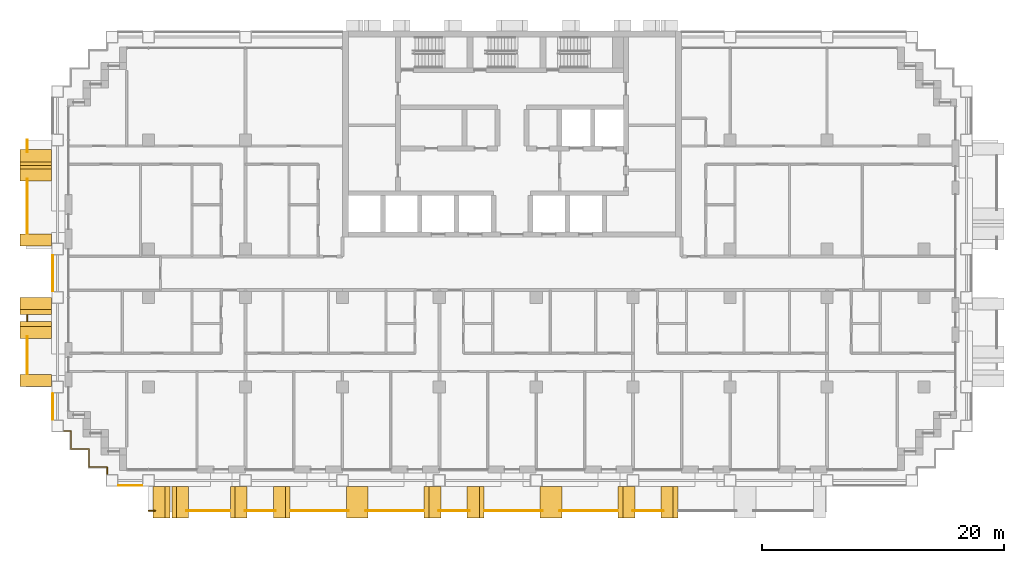
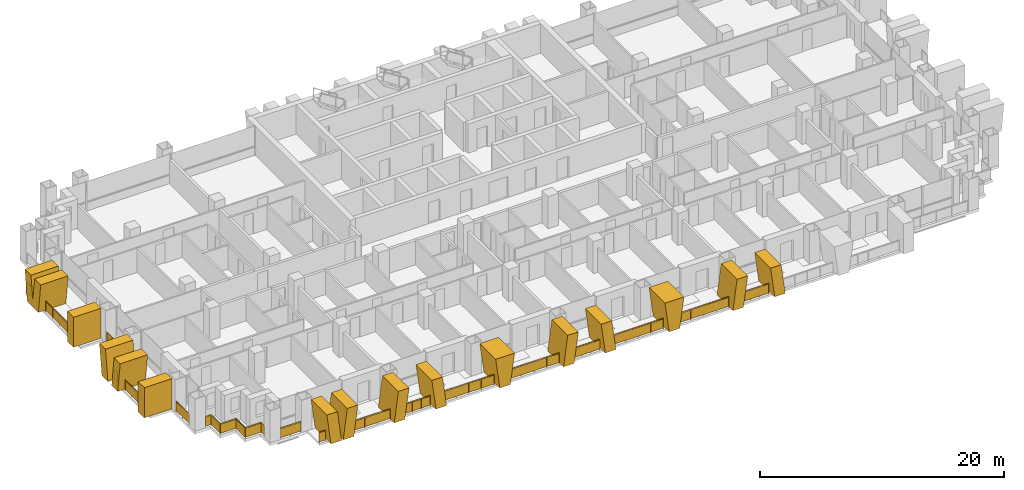
# One storey, part 16 of 19: 17 railings, 15 shading devices.
"""IFC4 building model written with IfcOpenShell, lengths in metres."""

from ifc_helpers import new_model, si_unit, direction, frame, origin, origin_2d, place, context, subcontext, project, spatial, polyline, rectangle, circle, outline, extrude, material, layer, layer_set, type_object, element, save


model = new_model("IFC4")

# Units and contexts
model_context = context("Model", 3, precision=1e-05, world=origin(), true_north=direction((0.0, 1.0)))
body_context = subcontext(model_context, "Body", "Model", "MODEL_VIEW")
ifc_project = project(units=[si_unit("LENGTHUNIT", "METRE"), si_unit("AREAUNIT", "SQUARE_METRE"), si_unit("VOLUMEUNIT", "CUBIC_METRE"), si_unit("PLANEANGLEUNIT", "RADIAN"), si_unit("MASSUNIT", "GRAM", prefix="KILO")], contexts=[model_context])

# Site, building, storey
site_placement = place(None, origin())
site = spatial("IfcSite", under=ifc_project, at=site_placement, CompositionType="ELEMENT")
building_placement = place(site_placement, origin())
building = spatial("IfcBuilding", under=site, at=building_placement, Name="Vidyagriha Tower", CompositionType="ELEMENT")
storey_placement = place(building_placement, frame((0.0, 0.0, 57.60009765625)))
storey = spatial("IfcBuildingStorey", under=building, at=storey_placement, Name="L15", CompositionType="ELEMENT", Elevation=57.60009765625)

# Railings
ifc_material_1 = material(Name="Steel ASTM A500 Grade C black painted", Category="steel")
railing_type_1 = type_object("IfcRailingType", Name="Balcony guard 1100", PredefinedType="BALUSTRADE", material=ifc_material_1)
railing_1_placement = place(storey_placement, frame((-40.0, 11.0, 0.0)))
element("IfcRailing", 1, at=railing_1_placement, inside=storey, type_object=railing_type_1, Name="Balcony guard L15 R16.1-1", PredefinedType="BALUSTRADE", context=body_context, shape_type="SweptSolid", body=[
    extrude(circle(Radius=0.02490234375, at=origin_2d()), frame((0.0, 0.0, 1.0751953125), z_axis=(0.0, -1.0, 0.0), x_axis=(1.0, 0.0, 0.0)), (0.0, 0.0, 1.0), 0.99658203125),
    extrude(circle(Radius=0.02001953125, at=origin_2d()), origin(), (0.0, 0.0, 1.0), 1.050048828125),
    extrude(circle(Radius=0.02001953125, at=origin_2d()), frame((0.0, -0.99658203125, 0.0)), (0.0, 0.0, 1.0), 1.050048828125),
    extrude(rectangle(XDim=0.010009765625, YDim=0.900146484375, at=origin_2d()), frame((0.0, 0.0, 0.550048828125), z_axis=(0.0, -1.0, 0.0), x_axis=(1.0, 0.0, 0.0)), (0.0, 0.0, 1.0), 0.99658203125),
])
railing_2_placement = place(storey_placement, frame((-40.0, 7.796630859375, 0.0)))
element("IfcRailing", 2, at=railing_2_placement, inside=storey, type_object=railing_type_1, Name="Balcony guard L15 R16.1-2", PredefinedType="BALUSTRADE", context=body_context, shape_type="SweptSolid", body=[
    extrude(circle(Radius=0.02490234375, at=origin_2d()), frame((0.0, 0.0, 1.0751953125), z_axis=(0.0, -1.0, 0.0), x_axis=(1.0, 0.0, 0.0)), (0.0, 0.0, 1.0), 4.49658203125),
    extrude(circle(Radius=0.02001953125, at=origin_2d()), origin(), (0.0, 0.0, 1.0), 1.050048828125),
    extrude(circle(Radius=0.02001953125, at=origin_2d()), frame((0.0, -1.1240234375, 0.0)), (0.0, 0.0, 1.0), 1.050048828125),
    extrude(circle(Radius=0.02001953125, at=origin_2d()), frame((0.0, -2.248291015625, 0.0)), (0.0, 0.0, 1.0), 1.050048828125),
    extrude(circle(Radius=0.02001953125, at=origin_2d()), frame((0.0, -3.37255859375, 0.0)), (0.0, 0.0, 1.0), 1.050048828125),
    extrude(circle(Radius=0.02001953125, at=origin_2d()), frame((0.0, -4.49658203125, 0.0)), (0.0, 0.0, 1.0), 1.050048828125),
    extrude(rectangle(XDim=0.010009765625, YDim=0.900146484375, at=origin_2d()), frame((0.0, 0.0, 0.550048828125), z_axis=(0.0, -1.0, 0.0), x_axis=(1.0, 0.0, 0.0)), (0.0, 0.0, 1.0), 4.49658203125),
])
railing_3_placement = place(storey_placement, frame((-40.0, -3.449951171875, 0.0)))
element("IfcRailing", 3, at=railing_3_placement, inside=storey, type_object=railing_type_1, Name="Balcony guard L15 R16.2-1", PredefinedType="BALUSTRADE", context=body_context, shape_type="SweptSolid", body=[
    extrude(circle(Radius=0.02490234375, at=origin_2d()), frame((0.0, 0.0, 1.0751953125), z_axis=(0.0, -1.0, 0.0), x_axis=(1.0, 0.0, 0.0)), (0.0, 0.0, 1.0), 0.5),
    extrude(circle(Radius=0.02001953125, at=origin_2d()), origin(), (0.0, 0.0, 1.0), 1.050048828125),
    extrude(circle(Radius=0.02001953125, at=origin_2d()), frame((0.0, -0.5, 0.0)), (0.0, 0.0, 1.0), 1.050048828125),
    extrude(rectangle(XDim=0.010009765625, YDim=0.900146484375, at=origin_2d()), frame((0.0, 0.0, 0.550048828125), z_axis=(0.0, -1.0, 0.0), x_axis=(1.0, 0.0, 0.0)), (0.0, 0.0, 1.0), 0.5),
])
railing_4_placement = place(storey_placement, frame((-40.0, -5.203369140625, 0.0)))
element("IfcRailing", 4, at=railing_4_placement, inside=storey, type_object=railing_type_1, Name="Balcony guard L15 R16.2-2", PredefinedType="BALUSTRADE", context=body_context, shape_type="SweptSolid", body=[
    extrude(circle(Radius=0.02490234375, at=origin_2d()), frame((0.0, 0.0, 1.0751953125), z_axis=(0.0, -1.0, 0.0), x_axis=(1.0, 0.0, 0.0)), (0.0, 0.0, 1.0), 3.0966796875),
    extrude(circle(Radius=0.02001953125, at=origin_2d()), origin(), (0.0, 0.0, 1.0), 1.050048828125),
    extrude(circle(Radius=0.02001953125, at=origin_2d()), frame((0.0, -1.0322265625, 0.0)), (0.0, 0.0, 1.0), 1.050048828125),
    extrude(circle(Radius=0.02001953125, at=origin_2d()), frame((0.0, -2.064453125, 0.0)), (0.0, 0.0, 1.0), 1.050048828125),
    extrude(circle(Radius=0.02001953125, at=origin_2d()), frame((0.0, -3.0966796875, 0.0)), (0.0, 0.0, 1.0), 1.050048828125),
    extrude(rectangle(XDim=0.010009765625, YDim=0.900146484375, at=origin_2d()), frame((0.0, 0.0, 0.550048828125), z_axis=(0.0, -1.0, 0.0), x_axis=(1.0, 0.0, 0.0)), (0.0, 0.0, 1.0), 3.0966796875),
])
railing_5_placement = place(storey_placement, frame((-30.0, -19.60009765625, 0.0)))
element("IfcRailing", 5, at=railing_5_placement, inside=storey, type_object=railing_type_1, Name="Balcony guard L15 R23.1-1", PredefinedType="BALUSTRADE", context=body_context, shape_type="SweptSolid", body=[
    extrude(circle(Radius=0.02490234375, at=origin_2d()), frame((0.0, 0.0, 1.0751953125), z_axis=(1.0, 0.0, 0.0), x_axis=(0.0, 1.0, 0.0)), (0.0, 0.0, 1.0), 0.573486328125),
    extrude(circle(Radius=0.02001953125, at=origin_2d()), origin(), (0.0, 0.0, 1.0), 1.050048828125),
    extrude(circle(Radius=0.02001953125, at=origin_2d()), frame((0.573486328125, 0.0, 0.0)), (0.0, 0.0, 1.0), 1.050048828125),
    extrude(rectangle(XDim=0.010009765625, YDim=0.900146484375, at=origin_2d()), frame((0.0, 0.0, 0.550048828125), z_axis=(1.0, 0.0, 0.0), x_axis=(0.0, 1.0, 0.0)), (0.0, 0.0, 1.0), 0.573486328125),
])
railing_6_placement = place(storey_placement, frame((-26.87353515625, -19.60009765625, 0.0)))
element("IfcRailing", 6, at=railing_6_placement, inside=storey, type_object=railing_type_1, Name="Balcony guard L15 R23.1-2", PredefinedType="BALUSTRADE", context=body_context, shape_type="SweptSolid", body=[
    extrude(circle(Radius=0.02490234375, at=origin_2d()), frame((0.0, 0.0, 1.0751953125), z_axis=(1.0, 0.0, 0.0), x_axis=(0.0, 1.0, 0.0)), (0.0, 0.0, 1.0), 3.573486328125),
    extrude(circle(Radius=0.02001953125, at=origin_2d()), origin(), (0.0, 0.0, 1.0), 1.050048828125),
    extrude(circle(Radius=0.02001953125, at=origin_2d()), frame((1.191162109375, 0.0, 0.0)), (0.0, 0.0, 1.0), 1.050048828125),
    extrude(circle(Radius=0.02001953125, at=origin_2d()), frame((2.38232421875, 0.0, 0.0)), (0.0, 0.0, 1.0), 1.050048828125),
    extrude(circle(Radius=0.02001953125, at=origin_2d()), frame((3.573486328125, 0.0, 0.0)), (0.0, 0.0, 1.0), 1.050048828125),
    extrude(rectangle(XDim=0.010009765625, YDim=0.900146484375, at=origin_2d()), frame((0.0, 0.0, 0.550048828125), z_axis=(1.0, 0.0, 0.0), x_axis=(0.0, 1.0, 0.0)), (0.0, 0.0, 1.0), 3.573486328125),
])
railing_7_placement = place(storey_placement, frame((-22.048583984375, -19.60009765625, 0.0)))
element("IfcRailing", 7, at=railing_7_placement, inside=storey, type_object=railing_type_1, Name="Balcony guard L15 R23.1-3", PredefinedType="BALUSTRADE", context=body_context, shape_type="SweptSolid", body=[
    extrude(circle(Radius=0.02490234375, at=origin_2d()), frame((0.0, 0.0, 1.0751953125), z_axis=(1.0, 0.0, 0.0), x_axis=(0.0, 1.0, 0.0)), (0.0, 0.0, 1.0), 2.547119140625),
    extrude(circle(Radius=0.02001953125, at=origin_2d()), origin(), (0.0, 0.0, 1.0), 1.050048828125),
    extrude(circle(Radius=0.02001953125, at=origin_2d()), frame((0.84912109375, 0.0, 0.0)), (0.0, 0.0, 1.0), 1.050048828125),
    extrude(circle(Radius=0.02001953125, at=origin_2d()), frame((1.697998046875, 0.0, 0.0)), (0.0, 0.0, 1.0), 1.050048828125),
    extrude(circle(Radius=0.02001953125, at=origin_2d()), frame((2.547119140625, 0.0, 0.0)), (0.0, 0.0, 1.0), 1.050048828125),
    extrude(rectangle(XDim=0.010009765625, YDim=0.900146484375, at=origin_2d()), frame((0.0, 0.0, 0.550048828125), z_axis=(1.0, 0.0, 0.0), x_axis=(0.0, 1.0, 0.0)), (0.0, 0.0, 1.0), 2.547119140625),
])
railing_8_placement = place(storey_placement, frame((-18.25, -19.60009765625, 0.0)))
element("IfcRailing", 8, at=railing_8_placement, inside=storey, type_object=railing_type_1, Name="Balcony guard L15 R23.1-4", PredefinedType="BALUSTRADE", context=body_context, shape_type="SweptSolid", body=[
    extrude(circle(Radius=0.02490234375, at=origin_2d()), frame((0.0, 0.0, 1.0751953125), z_axis=(1.0, 0.0, 0.0), x_axis=(0.0, 1.0, 0.0)), (0.0, 0.0, 1.0), 4.773681640625),
    extrude(circle(Radius=0.02001953125, at=origin_2d()), origin(), (0.0, 0.0, 1.0), 1.050048828125),
    extrude(circle(Radius=0.02001953125, at=origin_2d()), frame((1.193359375, 0.0, 0.0)), (0.0, 0.0, 1.0), 1.050048828125),
    extrude(circle(Radius=0.02001953125, at=origin_2d()), frame((2.38671875, 0.0, 0.0)), (0.0, 0.0, 1.0), 1.050048828125),
    extrude(circle(Radius=0.02001953125, at=origin_2d()), frame((3.580322265625, 0.0, 0.0)), (0.0, 0.0, 1.0), 1.050048828125),
    extrude(circle(Radius=0.02001953125, at=origin_2d()), frame((4.773681640625, 0.0, 0.0)), (0.0, 0.0, 1.0), 1.050048828125),
    extrude(rectangle(XDim=0.010009765625, YDim=0.900146484375, at=origin_2d()), frame((0.0, 0.0, 0.550048828125), z_axis=(1.0, 0.0, 0.0), x_axis=(0.0, 1.0, 0.0)), (0.0, 0.0, 1.0), 4.773681640625),
])
railing_9_placement = place(storey_placement, frame((-12.073486328125, -19.60009765625, 0.0)))
element("IfcRailing", 9, at=railing_9_placement, inside=storey, type_object=railing_type_1, Name="Balcony guard L15 R23.1-5", PredefinedType="BALUSTRADE", context=body_context, shape_type="SweptSolid", body=[
    extrude(circle(Radius=0.02490234375, at=origin_2d()), frame((0.0, 0.0, 1.0751953125), z_axis=(1.0, 0.0, 0.0), x_axis=(0.0, 1.0, 0.0)), (0.0, 0.0, 1.0), 4.7734375),
    extrude(circle(Radius=0.02001953125, at=origin_2d()), origin(), (0.0, 0.0, 1.0), 1.050048828125),
    extrude(circle(Radius=0.02001953125, at=origin_2d()), frame((1.193359375, 0.0, 0.0)), (0.0, 0.0, 1.0), 1.050048828125),
    extrude(circle(Radius=0.02001953125, at=origin_2d()), frame((2.38671875, 0.0, 0.0)), (0.0, 0.0, 1.0), 1.050048828125),
    extrude(circle(Radius=0.02001953125, at=origin_2d()), frame((3.580078125, 0.0, 0.0)), (0.0, 0.0, 1.0), 1.050048828125),
    extrude(circle(Radius=0.02001953125, at=origin_2d()), frame((4.7734375, 0.0, 0.0)), (0.0, 0.0, 1.0), 1.050048828125),
    extrude(rectangle(XDim=0.010009765625, YDim=0.900146484375, at=origin_2d()), frame((0.0, 0.0, 0.550048828125), z_axis=(1.0, 0.0, 0.0), x_axis=(0.0, 1.0, 0.0)), (0.0, 0.0, 1.0), 4.7734375),
])
railing_10_placement = place(storey_placement, frame((-6.048583984375, -19.60009765625, 0.0)))
element("IfcRailing", 10, at=railing_10_placement, inside=storey, type_object=railing_type_1, Name="Balcony guard L15 R23.1-6", PredefinedType="BALUSTRADE", context=body_context, shape_type="SweptSolid", body=[
    extrude(circle(Radius=0.02490234375, at=origin_2d()), frame((0.0, 0.0, 1.0751953125), z_axis=(1.0, 0.0, 0.0), x_axis=(0.0, 1.0, 0.0)), (0.0, 0.0, 1.0), 2.547119140625),
    extrude(circle(Radius=0.02001953125, at=origin_2d()), origin(), (0.0, 0.0, 1.0), 1.050048828125),
    extrude(circle(Radius=0.02001953125, at=origin_2d()), frame((0.84912109375, 0.0, 0.0)), (0.0, 0.0, 1.0), 1.050048828125),
    extrude(circle(Radius=0.02001953125, at=origin_2d()), frame((1.697998046875, 0.0, 0.0)), (0.0, 0.0, 1.0), 1.050048828125),
    extrude(circle(Radius=0.02001953125, at=origin_2d()), frame((2.547119140625, 0.0, 0.0)), (0.0, 0.0, 1.0), 1.050048828125),
    extrude(rectangle(XDim=0.010009765625, YDim=0.900146484375, at=origin_2d()), frame((0.0, 0.0, 0.550048828125), z_axis=(1.0, 0.0, 0.0), x_axis=(0.0, 1.0, 0.0)), (0.0, 0.0, 1.0), 2.547119140625),
])
railing_11_placement = place(storey_placement, frame((-2.25, -19.60009765625, 0.0)))
element("IfcRailing", 11, at=railing_11_placement, inside=storey, type_object=railing_type_1, Name="Balcony guard L15 R23.1-7", PredefinedType="BALUSTRADE", context=body_context, shape_type="SweptSolid", body=[
    extrude(circle(Radius=0.02490234375, at=origin_2d()), frame((0.0, 0.0, 1.0751953125), z_axis=(1.0, 0.0, 0.0), x_axis=(0.0, 1.0, 0.0)), (0.0, 0.0, 1.0), 4.773681640625),
    extrude(circle(Radius=0.02001953125, at=origin_2d()), origin(), (0.0, 0.0, 1.0), 1.050048828125),
    extrude(circle(Radius=0.02001953125, at=origin_2d()), frame((1.193359375, 0.0, 0.0)), (0.0, 0.0, 1.0), 1.050048828125),
    extrude(circle(Radius=0.02001953125, at=origin_2d()), frame((2.38671875, 0.0, 0.0)), (0.0, 0.0, 1.0), 1.050048828125),
    extrude(circle(Radius=0.02001953125, at=origin_2d()), frame((3.580322265625, 0.0, 0.0)), (0.0, 0.0, 1.0), 1.050048828125),
    extrude(circle(Radius=0.02001953125, at=origin_2d()), frame((4.773681640625, 0.0, 0.0)), (0.0, 0.0, 1.0), 1.050048828125),
    extrude(rectangle(XDim=0.010009765625, YDim=0.900146484375, at=origin_2d()), frame((0.0, 0.0, 0.550048828125), z_axis=(1.0, 0.0, 0.0), x_axis=(0.0, 1.0, 0.0)), (0.0, 0.0, 1.0), 4.773681640625),
])
railing_12_placement = place(storey_placement, frame((3.926513671875, -19.60009765625, 0.0)))
element("IfcRailing", 12, at=railing_12_placement, inside=storey, type_object=railing_type_1, Name="Balcony guard L15 R23.1-8", PredefinedType="BALUSTRADE", context=body_context, shape_type="SweptSolid", body=[
    extrude(circle(Radius=0.02490234375, at=origin_2d()), frame((0.0, 0.0, 1.0751953125), z_axis=(1.0, 0.0, 0.0), x_axis=(0.0, 1.0, 0.0)), (0.0, 0.0, 1.0), 4.7734375),
    extrude(circle(Radius=0.02001953125, at=origin_2d()), origin(), (0.0, 0.0, 1.0), 1.050048828125),
    extrude(circle(Radius=0.02001953125, at=origin_2d()), frame((1.193359375, 0.0, 0.0)), (0.0, 0.0, 1.0), 1.050048828125),
    extrude(circle(Radius=0.02001953125, at=origin_2d()), frame((2.38671875, 0.0, 0.0)), (0.0, 0.0, 1.0), 1.050048828125),
    extrude(circle(Radius=0.02001953125, at=origin_2d()), frame((3.580078125, 0.0, 0.0)), (0.0, 0.0, 1.0), 1.050048828125),
    extrude(circle(Radius=0.02001953125, at=origin_2d()), frame((4.7734375, 0.0, 0.0)), (0.0, 0.0, 1.0), 1.050048828125),
    extrude(rectangle(XDim=0.010009765625, YDim=0.900146484375, at=origin_2d()), frame((0.0, 0.0, 0.550048828125), z_axis=(1.0, 0.0, 0.0), x_axis=(0.0, 1.0, 0.0)), (0.0, 0.0, 1.0), 4.7734375),
])
railing_13_placement = place(storey_placement, frame((9.951416015625, -19.60009765625, 0.0)))
element("IfcRailing", 13, at=railing_13_placement, inside=storey, type_object=railing_type_1, Name="Balcony guard L15 R23.1-9", PredefinedType="BALUSTRADE", context=body_context, shape_type="SweptSolid", body=[
    extrude(circle(Radius=0.02490234375, at=origin_2d()), frame((0.0, 0.0, 1.0751953125), z_axis=(1.0, 0.0, 0.0), x_axis=(0.0, 1.0, 0.0)), (0.0, 0.0, 1.0), 2.547119140625),
    extrude(circle(Radius=0.02001953125, at=origin_2d()), origin(), (0.0, 0.0, 1.0), 1.050048828125),
    extrude(circle(Radius=0.02001953125, at=origin_2d()), frame((0.84912109375, 0.0, 0.0)), (0.0, 0.0, 1.0), 1.050048828125),
    extrude(circle(Radius=0.02001953125, at=origin_2d()), frame((1.697998046875, 0.0, 0.0)), (0.0, 0.0, 1.0), 1.050048828125),
    extrude(circle(Radius=0.02001953125, at=origin_2d()), frame((2.547119140625, 0.0, 0.0)), (0.0, 0.0, 1.0), 1.050048828125),
    extrude(rectangle(XDim=0.010009765625, YDim=0.900146484375, at=origin_2d()), frame((0.0, 0.0, 0.550048828125), z_axis=(1.0, 0.0, 0.0), x_axis=(0.0, 1.0, 0.0)), (0.0, 0.0, 1.0), 2.547119140625),
])

# Shading devices
ifc_material_2 = material(Name="Precast concrete C40/50 with buff brick facing", Category="concrete")
ifc_layer_1 = layer(ifc_material_2, 1.0)
ifc_layer_set_1 = layer_set([ifc_layer_1], Name="Precast concrete C40/50 with buff brick facing")
shading_device_type_1 = type_object("IfcShadingDeviceType", Name="Brick-faced blade fin arm leaning 8 degrees", PredefinedType="USERDEFINED", material=ifc_layer_set_1)
shading_device_1_placement = place(storey_placement, frame((-39.300048828125, -4.0, 0.0), z_axis=(0.0, 0.0, 1.0), x_axis=(0.0, -1.0, 0.0)))
element("IfcShadingDevice", 14, at=shading_device_1_placement, inside=storey, type_object=shading_device_type_1, Name="Leaning blade fin L15 R16.1580a", ObjectType="BLADE FIN", PredefinedType="USERDEFINED", context=body_context, shape_type="SweptSolid", body=[
    extrude(outline(polyline([(0.0, 0.0), (1.0, 0.0), (1.39990234375, 3.0), (0.39990234375, 3.0), (0.0, 0.0)])), frame((0.0, 1.300048828125, 0.0), z_axis=(0.0, -1.0, 0.0), x_axis=(1.0, 0.0, 0.0)), (0.0, 0.0, 1.0), 2.60009765625),
])
shading_device_2_placement = place(storey_placement, frame((-39.300048828125, -2.0, 0.0), z_axis=(0.0, 0.0, 1.0), x_axis=(0.0, -1.0, 0.0)))
element("IfcShadingDevice", 15, at=shading_device_2_placement, inside=storey, type_object=shading_device_type_1, Name="Leaning blade fin L15 R16.1580b", ObjectType="BLADE FIN", PredefinedType="USERDEFINED", context=body_context, shape_type="SweptSolid", body=[
    extrude(outline(polyline([(0.39990234375, 0.0), (1.39990234375, 0.0), (1.0, 3.0), (0.0, 3.0), (0.39990234375, 0.0)])), frame((0.0, 1.300048828125, 0.0), z_axis=(0.0, -1.0, 0.0), x_axis=(1.0, 0.0, 0.0)), (0.0, 0.0, 1.0), 2.60009765625),
])
shading_device_3_placement = place(storey_placement, frame((-28.0712890625, -18.89990234375, 0.0)))
element("IfcShadingDevice", 16, at=shading_device_3_placement, inside=storey, type_object=shading_device_type_1, Name="Leaning blade fin L15 R23.180a", ObjectType="BLADE FIN", PredefinedType="USERDEFINED", context=body_context, shape_type="SweptSolid", body=[
    extrude(outline(polyline([(0.0, 0.0), (1.0, 0.0), (1.3857421875, 3.0), (0.3857421875, 3.0), (0.0, 0.0)])), frame((0.0, 1.300048828125, 0.0), z_axis=(0.0, -1.0, 0.0), x_axis=(1.0, 0.0, 0.0)), (0.0, 0.0, 1.0), 2.60009765625),
])
shading_device_4_placement = place(storey_placement, frame((-29.6142578125, -18.89990234375, 0.0)))
element("IfcShadingDevice", 17, at=shading_device_4_placement, inside=storey, type_object=shading_device_type_1, Name="Leaning blade fin L15 R23.180b", ObjectType="BLADE FIN", PredefinedType="USERDEFINED", context=body_context, shape_type="SweptSolid", body=[
    extrude(outline(polyline([(0.3857421875, 0.0), (1.3857421875, 0.0), (1.0, 3.0), (0.0, 3.0), (0.3857421875, 0.0)])), frame((0.0, 1.300048828125, 0.0), z_axis=(0.0, -1.0, 0.0), x_axis=(1.0, 0.0, 0.0)), (0.0, 0.0, 1.0), 2.60009765625),
])
shading_device_5_placement = place(storey_placement, frame((-19.695068359375, -18.89990234375, 0.0)))
element("IfcShadingDevice", 18, at=shading_device_5_placement, inside=storey, type_object=shading_device_type_1, Name="Leaning blade fin L15 R23.980a", ObjectType="BLADE FIN", PredefinedType="USERDEFINED", context=body_context, shape_type="SweptSolid", body=[
    extrude(outline(polyline([(0.39501953125, 0.0), (1.39501953125, 0.0), (1.0, 3.0), (0.0, 3.0), (0.39501953125, 0.0)])), frame((0.0, 1.300048828125, 0.0), z_axis=(0.0, -1.0, 0.0), x_axis=(1.0, 0.0, 0.0)), (0.0, 0.0, 1.0), 2.60009765625),
])
shading_device_6_placement = place(storey_placement, frame((-23.25, -18.89990234375, 0.0)))
element("IfcShadingDevice", 19, at=shading_device_6_placement, inside=storey, type_object=shading_device_type_1, Name="Leaning blade fin L15 R23.980b", ObjectType="BLADE FIN", PredefinedType="USERDEFINED", context=body_context, shape_type="SweptSolid", body=[
    extrude(outline(polyline([(0.0, 0.0), (1.0, 0.0), (1.39501953125, 3.0), (0.39501953125, 3.0), (0.0, 0.0)])), frame((0.0, 1.300048828125, 0.0), z_axis=(0.0, -1.0, 0.0), x_axis=(1.0, 0.0, 0.0)), (0.0, 0.0, 1.0), 2.60009765625),
])
shading_device_7_placement = place(storey_placement, frame((-3.695068359375, -18.89990234375, 0.0)))
element("IfcShadingDevice", 20, at=shading_device_7_placement, inside=storey, type_object=shading_device_type_1, Name="Leaning blade fin L15 R23.2580a", ObjectType="BLADE FIN", PredefinedType="USERDEFINED", context=body_context, shape_type="SweptSolid", body=[
    extrude(outline(polyline([(0.39501953125, 0.0), (1.39501953125, 0.0), (1.0, 3.0), (0.0, 3.0), (0.39501953125, 0.0)])), frame((0.0, 1.300048828125, 0.0), z_axis=(0.0, -1.0, 0.0), x_axis=(1.0, 0.0, 0.0)), (0.0, 0.0, 1.0), 2.60009765625),
])
shading_device_8_placement = place(storey_placement, frame((-7.25, -18.89990234375, 0.0)))
element("IfcShadingDevice", 21, at=shading_device_8_placement, inside=storey, type_object=shading_device_type_1, Name="Leaning blade fin L15 R23.2580b", ObjectType="BLADE FIN", PredefinedType="USERDEFINED", context=body_context, shape_type="SweptSolid", body=[
    extrude(outline(polyline([(0.0, 0.0), (1.0, 0.0), (1.39501953125, 3.0), (0.39501953125, 3.0), (0.0, 0.0)])), frame((0.0, 1.300048828125, 0.0), z_axis=(0.0, -1.0, 0.0), x_axis=(1.0, 0.0, 0.0)), (0.0, 0.0, 1.0), 2.60009765625),
])
shading_device_9_placement = place(storey_placement, frame((12.304931640625, -18.89990234375, 0.0)))
element("IfcShadingDevice", 22, at=shading_device_9_placement, inside=storey, type_object=shading_device_type_1, Name="Leaning blade fin L15 R23.4180a", ObjectType="BLADE FIN", PredefinedType="USERDEFINED", context=body_context, shape_type="SweptSolid", body=[
    extrude(outline(polyline([(0.39501953125, 0.0), (1.39501953125, 0.0), (1.0, 3.0), (0.0, 3.0), (0.39501953125, 0.0)])), frame((0.0, 1.300048828125, 0.0), z_axis=(0.0, -1.0, 0.0), x_axis=(1.0, 0.0, 0.0)), (0.0, 0.0, 1.0), 2.60009765625),
])
shading_device_10_placement = place(storey_placement, frame((8.75, -18.89990234375, 0.0)))
element("IfcShadingDevice", 23, at=shading_device_10_placement, inside=storey, type_object=shading_device_type_1, Name="Leaning blade fin L15 R23.4180b", ObjectType="BLADE FIN", PredefinedType="USERDEFINED", context=body_context, shape_type="SweptSolid", body=[
    extrude(outline(polyline([(0.0, 0.0), (1.0, 0.0), (1.39501953125, 3.0), (0.39501953125, 3.0), (0.0, 0.0)])), frame((0.0, 1.300048828125, 0.0), z_axis=(0.0, -1.0, 0.0), x_axis=(1.0, 0.0, 0.0)), (0.0, 0.0, 1.0), 2.60009765625),
])
ifc_material_3 = material(Name="Precast concrete C40/50 with buff brick facing", Category="concrete")
ifc_layer_2 = layer(ifc_material_3, 1.0)
ifc_layer_set_2 = layer_set([ifc_layer_2], Name="Precast concrete C40/50 with buff brick facing")
shading_device_type_2 = type_object("IfcShadingDeviceType", Name="Brick-faced blade fin forking 8 degrees", PredefinedType="USERDEFINED", material=ifc_layer_set_2)
shading_device_11_placement = place(storey_placement, frame((-39.300048828125, 10.199951171875, 0.0), z_axis=(0.0, 0.0, 1.0), x_axis=(0.0, -1.0, 0.0)))
element("IfcShadingDevice", 24, at=shading_device_11_placement, inside=storey, type_object=shading_device_type_2, Name="Forked blade fin L15 R16.280a", ObjectType="BLADE FIN", PredefinedType="USERDEFINED", context=body_context, shape_type="SweptSolid", body=[
    extrude(outline(polyline([(0.39990234375, 0.0), (2.199951171875, 0.0), (2.60009765625, 3.0), (1.60009765625, 3.0), (1.300048828125, 0.75), (1.0, 3.0), (0.0, 3.0), (0.39990234375, 0.0)])), frame((0.0, 1.300048828125, 0.0), z_axis=(0.0, -1.0, 0.0), x_axis=(1.0, 0.0, 0.0)), (0.0, 0.0, 1.0), 2.60009765625),
])
for number, where, name in (
    (25, (-13.669921875, -18.89990234375, 0.0), "Forked blade fin L15 R23.1780a"),
    (26, (2.330078125, -18.89990234375, 0.0), "Forked blade fin L15 R23.3380a"),
):
    element("IfcShadingDevice", number, at=place(storey_placement, frame(where)), inside=storey, type_object=shading_device_type_2, Name=name, ObjectType="BLADE FIN", PredefinedType="USERDEFINED", context=body_context, shape_type="SweptSolid", body=[
        extrude(outline(polyline([(0.39501953125, 0.0), (1.39501953125, 0.0), (1.7900390625, 3.0), (0.0, 3.0), (0.39501953125, 0.0)])), frame((0.0, 1.300048828125, 0.0), z_axis=(0.0, -1.0, 0.0), x_axis=(1.0, 0.0, 0.0)), (0.0, 0.0, 1.0), 2.60009765625),
    ])
ifc_material_4 = material(Name="Precast concrete C40/50 with buff brick facing", Category="concrete")
ifc_layer_3 = layer(ifc_material_4, 1.0)
ifc_layer_set_3 = layer_set([ifc_layer_3], Name="Precast concrete C40/50 with buff brick facing")
shading_device_type_3 = type_object("IfcShadingDeviceType", Name="Brick-faced blade fin stem 1000", PredefinedType="USERDEFINED", material=ifc_layer_set_3)
for number, where, z_axis, x_axis, name in (
    (27, (-39.300048828125, 3.25, 0.0), (0.0, 0.0, 1.0), (0.0, -1.0, 0.0), "Stem blade fin L15 R16.1180a"),
    (28, (-39.300048828125, -8.35009765625, 0.0), (0.0, 0.0, 1.0), (0.0, -1.0, 0.0), "Stem blade fin L15 R16.2320a"),
):
    element("IfcShadingDevice", number, at=place(storey_placement, frame(where, z_axis=z_axis, x_axis=x_axis)), inside=storey, type_object=shading_device_type_3, Name=name, ObjectType="BLADE FIN", PredefinedType="USERDEFINED", context=body_context, shape_type="SweptSolid", body=[
        extrude(outline(polyline([(0.0, 0.0), (1.0, 0.0), (1.0, 3.0), (0.0, 3.0), (0.0, 0.0)])), frame((0.0, 1.300048828125, 0.0), z_axis=(0.0, -1.0, 0.0), x_axis=(1.0, 0.0, 0.0)), (0.0, 0.0, 1.0), 2.60009765625),
    ])

# Railings
ifc_material_5 = material(Name="Steel ASTM A500 Grade C black painted", Category="steel")
railing_type_2 = type_object("IfcRailingType", Name="Gallery guard 1100", PredefinedType="GUARDRAIL", material=ifc_material_5)
railing_14_placement = place(storey_placement, frame((-37.89990234375, -12.070068359375, 0.0)))
element("IfcRailing", 29, at=railing_14_placement, inside=storey, type_object=railing_type_2, Name="Gallery guard L15 1", PredefinedType="GUARDRAIL", context=body_context, shape_type="SweptSolid", body=[
    extrude(circle(Radius=0.02490234375, at=origin_2d()), frame((0.0, 0.0, 1.0751953125), z_axis=(0.0, 1.0, 0.0), x_axis=(-1.0, 0.0, 0.0)), (0.0, 0.0, 1.0), 2.14013671875),
    extrude(circle(Radius=0.02001953125, at=origin_2d()), origin(), (0.0, 0.0, 1.0), 1.050048828125),
    extrude(circle(Radius=0.02001953125, at=origin_2d()), frame((0.0, 1.070068359375, 0.0)), (0.0, 0.0, 1.0), 1.050048828125),
    extrude(circle(Radius=0.02001953125, at=origin_2d()), frame((0.0, 2.14013671875, 0.0)), (0.0, 0.0, 1.0), 1.050048828125),
    extrude(rectangle(XDim=0.010009765625, YDim=0.900146484375, at=origin_2d()), frame((0.0, 0.0, 0.550048828125), z_axis=(0.0, 1.0, 0.0), x_axis=(-1.0, 0.0, 0.0)), (0.0, 0.0, 1.0), 2.14013671875),
])
railing_15_placement = place(storey_placement, frame((-37.89990234375, -1.469970703125, 0.0)))
element("IfcRailing", 30, at=railing_15_placement, inside=storey, type_object=railing_type_2, Name="Gallery guard L15 2", PredefinedType="GUARDRAIL", context=body_context, shape_type="SweptSolid", body=[
    extrude(circle(Radius=0.02490234375, at=origin_2d()), frame((0.0, 0.0, 1.0751953125), z_axis=(0.0, 1.0, 0.0), x_axis=(-1.0, 0.0, 0.0)), (0.0, 0.0, 1.0), 2.93994140625),
    extrude(circle(Radius=0.02001953125, at=origin_2d()), origin(), (0.0, 0.0, 1.0), 1.050048828125),
    extrude(circle(Radius=0.02001953125, at=origin_2d()), frame((0.0, 1.469970703125, 0.0)), (0.0, 0.0, 1.0), 1.050048828125),
    extrude(circle(Radius=0.02001953125, at=origin_2d()), frame((0.0, 2.93994140625, 0.0)), (0.0, 0.0, 1.0), 1.050048828125),
    extrude(rectangle(XDim=0.010009765625, YDim=0.900146484375, at=origin_2d()), frame((0.0, 0.0, 0.550048828125), z_axis=(0.0, 1.0, 0.0), x_axis=(-1.0, 0.0, 0.0)), (0.0, 0.0, 1.0), 2.93994140625),
])
railing_16_placement = place(storey_placement, frame((-33.39990234375, -16.570068359375, 0.0)))
element("IfcRailing", 31, at=railing_16_placement, inside=storey, type_object=railing_type_2, Name="Gallery guard L15 4", PredefinedType="GUARDRAIL", context=body_context, shape_type="SweptSolid", body=[
    extrude(circle(Radius=0.02490234375, at=origin_2d()), frame((0.0, 0.0, 1.0751953125), z_axis=(0.0, 1.0, 0.0), x_axis=(-1.0, 0.0, 0.0)), (0.0, 0.0, 1.0), 0.570068359375),
    extrude(circle(Radius=0.02490234375, at=origin_2d()), frame((0.0, 0.570068359375, 1.0751953125), z_axis=(-1.0, 0.0, 0.0), x_axis=(0.0, -1.0, 0.0)), (0.0, 0.0, 1.0), 1.5),
    extrude(circle(Radius=0.02490234375, at=origin_2d()), frame((-1.5, 0.570068359375, 1.0751953125), z_axis=(0.0, 1.0, 0.0), x_axis=(-1.0, 0.0, 0.0)), (0.0, 0.0, 1.0), 1.5),
    extrude(circle(Radius=0.02490234375, at=origin_2d()), frame((-1.5, 2.070068359375, 1.0751953125), z_axis=(-1.0, 0.0, 0.0), x_axis=(0.0, -1.0, 0.0)), (0.0, 0.0, 1.0), 1.5),
    extrude(circle(Radius=0.02490234375, at=origin_2d()), frame((-3.0, 2.070068359375, 1.0751953125), z_axis=(0.0, 1.0, 0.0), x_axis=(-1.0, 0.0, 0.0)), (0.0, 0.0, 1.0), 1.5),
    extrude(circle(Radius=0.02490234375, at=origin_2d()), frame((-3.0, 3.570068359375, 1.0751953125), z_axis=(-1.0, 0.0, 0.0), x_axis=(0.0, -1.0, 0.0)), (0.0, 0.0, 1.0), 0.570068359375),
    extrude(circle(Radius=0.02001953125, at=origin_2d()), origin(), (0.0, 0.0, 1.0), 1.050048828125),
    extrude(circle(Radius=0.02001953125, at=origin_2d()), frame((0.0, 0.570068359375, 0.0)), (0.0, 0.0, 1.0), 1.050048828125),
    extrude(circle(Radius=0.02001953125, at=origin_2d()), frame((-1.5, 0.570068359375, 0.0)), (0.0, 0.0, 1.0), 1.050048828125),
    extrude(circle(Radius=0.02001953125, at=origin_2d()), frame((-1.5, 2.070068359375, 0.0)), (0.0, 0.0, 1.0), 1.050048828125),
    extrude(circle(Radius=0.02001953125, at=origin_2d()), frame((-3.0, 2.070068359375, 0.0)), (0.0, 0.0, 1.0), 1.050048828125),
    extrude(circle(Radius=0.02001953125, at=origin_2d()), frame((-3.0, 3.570068359375, 0.0)), (0.0, 0.0, 1.0), 1.050048828125),
    extrude(circle(Radius=0.02001953125, at=origin_2d()), frame((-3.570068359375, 3.570068359375, 0.0)), (0.0, 0.0, 1.0), 1.050048828125),
    extrude(rectangle(XDim=0.010009765625, YDim=0.900146484375, at=origin_2d()), frame((0.0, 0.0, 0.550048828125), z_axis=(0.0, 1.0, 0.0), x_axis=(-1.0, 0.0, 0.0)), (0.0, 0.0, 1.0), 0.570068359375),
    extrude(rectangle(XDim=0.010009765625, YDim=0.900146484375, at=origin_2d()), frame((0.0, 0.570068359375, 0.550048828125), z_axis=(-1.0, 0.0, 0.0), x_axis=(0.0, -1.0, 0.0)), (0.0, 0.0, 1.0), 1.5),
    extrude(rectangle(XDim=0.010009765625, YDim=0.900146484375, at=origin_2d()), frame((-1.5, 0.570068359375, 0.550048828125), z_axis=(0.0, 1.0, 0.0), x_axis=(-1.0, 0.0, 0.0)), (0.0, 0.0, 1.0), 1.5),
    extrude(rectangle(XDim=0.010009765625, YDim=0.900146484375, at=origin_2d()), frame((-1.5, 2.070068359375, 0.550048828125), z_axis=(-1.0, 0.0, 0.0), x_axis=(0.0, -1.0, 0.0)), (0.0, 0.0, 1.0), 1.5),
    extrude(rectangle(XDim=0.010009765625, YDim=0.900146484375, at=origin_2d()), frame((-3.0, 2.070068359375, 0.550048828125), z_axis=(0.0, 1.0, 0.0), x_axis=(-1.0, 0.0, 0.0)), (0.0, 0.0, 1.0), 1.5),
    extrude(rectangle(XDim=0.010009765625, YDim=0.900146484375, at=origin_2d()), frame((-3.0, 3.570068359375, 0.550048828125), z_axis=(-1.0, 0.0, 0.0), x_axis=(0.0, -1.0, 0.0)), (0.0, 0.0, 1.0), 0.570068359375),
])
railing_17_placement = place(storey_placement, frame((-30.530029296875, -17.5, 0.0)))
element("IfcRailing", 32, at=railing_17_placement, inside=storey, type_object=railing_type_2, Name="Gallery guard L15 6", PredefinedType="GUARDRAIL", context=body_context, shape_type="SweptSolid", body=[
    extrude(circle(Radius=0.02490234375, at=origin_2d()), frame((0.0, 0.0, 1.0751953125), z_axis=(-1.0, 0.0, 0.0), x_axis=(0.0, -1.0, 0.0)), (0.0, 0.0, 1.0), 1.93994140625),
    extrude(circle(Radius=0.02001953125, at=origin_2d()), origin(), (0.0, 0.0, 1.0), 1.050048828125),
    extrude(circle(Radius=0.02001953125, at=origin_2d()), frame((-0.969970703125, 0.0, 0.0)), (0.0, 0.0, 1.0), 1.050048828125),
    extrude(circle(Radius=0.02001953125, at=origin_2d()), frame((-1.93994140625, 0.0, 0.0)), (0.0, 0.0, 1.0), 1.050048828125),
    extrude(rectangle(XDim=0.010009765625, YDim=0.900146484375, at=origin_2d()), frame((0.0, 0.0, 0.550048828125), z_axis=(-1.0, 0.0, 0.0), x_axis=(0.0, -1.0, 0.0)), (0.0, 0.0, 1.0), 1.93994140625),
])

save(model, "model.ifc")
